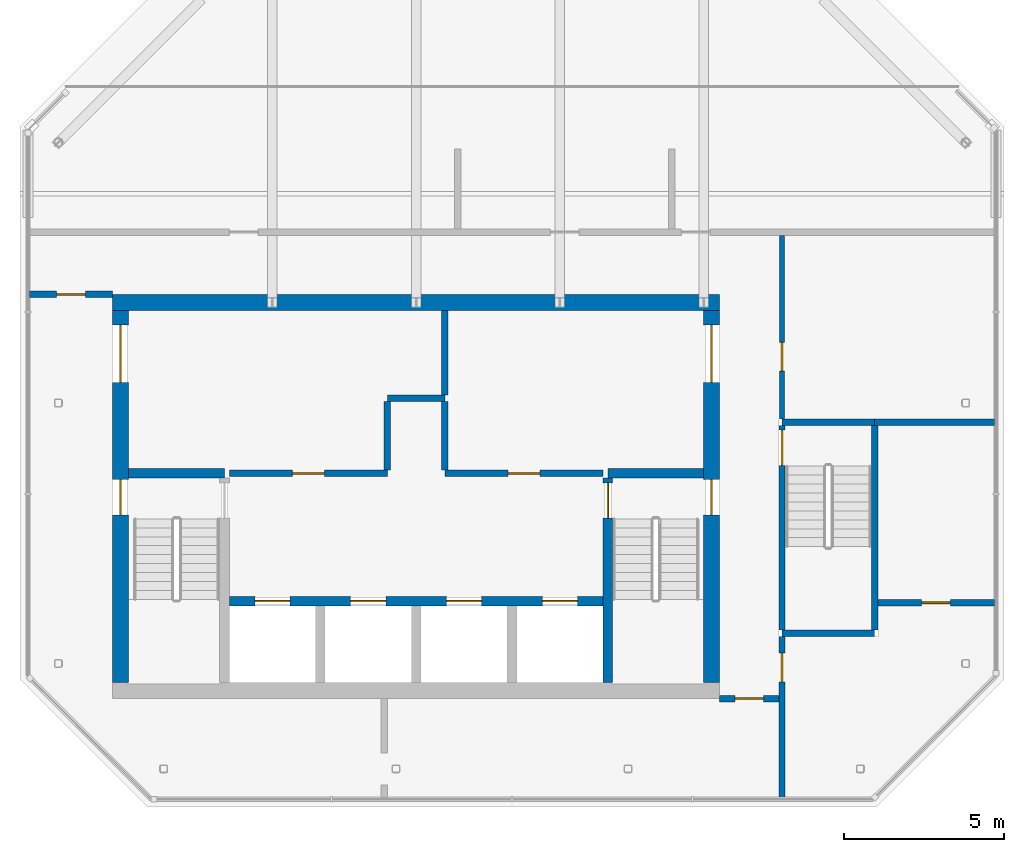
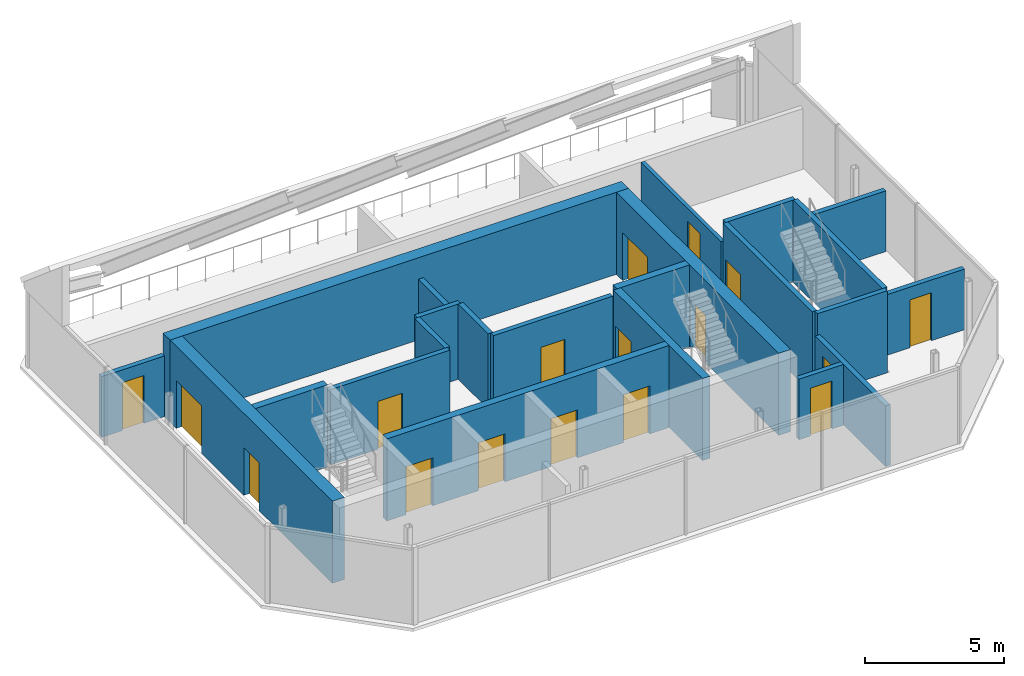
# One storey, part 3 of 5: 23 walls, 17 doors, 17 openings.
"""IFC4 building model written with IfcOpenShell, lengths in metres."""

from ifc_helpers import new_model, si_unit, direction, frame, frame_2d, origin, place, context, subcontext, project, spatial, polyline, rectangle, outline, extrude, material, layer, layer_set, type_object, element, fill, save


model = new_model("IFC4")

# Units and contexts
model_context = context("Model", 3, precision=1e-05, world=origin(), true_north=direction((0.0, 1.0)))
body_context = subcontext(model_context, "Body", "Model", "MODEL_VIEW")
ifc_project = project(units=[si_unit("LENGTHUNIT", "METRE"), si_unit("AREAUNIT", "SQUARE_METRE"), si_unit("VOLUMEUNIT", "CUBIC_METRE"), si_unit("PLANEANGLEUNIT", "RADIAN"), si_unit("MASSUNIT", "GRAM", prefix="KILO")], contexts=[model_context])

# Site, building, storey
site_placement = place(None, origin())
site = spatial("IfcSite", under=ifc_project, at=site_placement, CompositionType="ELEMENT")
building_placement = place(site_placement, origin())
building = spatial("IfcBuilding", under=site, at=building_placement, Name="Tskaro Facet Tower", CompositionType="ELEMENT")
storey_placement = place(building_placement, frame((0.0, 0.0, 304.5)))
storey = spatial("IfcBuildingStorey", under=building, at=storey_placement, Name="L82", CompositionType="ELEMENT", Elevation=304.5)

# Wall, openings, doors
ifc_material_1 = material(Name="Concrete C60/75", Category="concrete")
ifc_layer_1 = layer(ifc_material_1, 0.300048828125, Name="Concrete C60/75")
ifc_layer_set_1 = layer_set([ifc_layer_1], Name="Concrete C60/75")
wall_type_1 = type_object("IfcWallType", Name="CORE-SHAFT", PredefinedType="SHEAR", material=ifc_layer_set_1)
wall_1_placement = place(storey_placement, frame((-5.85009765625, -8.949951171875, 0.0), z_axis=(0.0, 0.0, 1.0), x_axis=(1.0, 0.0, 0.0)))
wall_1 = element("IfcWall", 1, at=wall_1_placement, inside=storey, type_object=wall_type_1, Name="Shaft wall W004", PredefinedType="SHEAR", context=body_context, shape_type="SweptSolid", body=[
    extrude(rectangle(XDim=11.7001953125, YDim=0.300048828125, at=frame_2d((5.85009765625, 0.0))), origin(), (0.0, 0.0, 1.0), 3.60009765625),
])
opening_1_placement = place(wall_1_placement, frame((0.800048828125, 0.0, 0.0)))
opening_1 = element("IfcOpeningElement", 2, at=opening_1_placement, cuts=wall_1, Name="Opening LD-FF1", PredefinedType="OPENING", context=body_context, shape_type="SweptSolid", body=[
    extrude(rectangle(XDim=1.10009765625, YDim=2.10009765625, at=frame_2d((0.550048828125, 1.050048828125))), frame((0.0, 0.159912109375, 0.0), z_axis=(0.0, -1.0, 0.0), x_axis=(1.0, 0.0, 0.0)), (0.0, 0.0, 1.0), 0.320068359375),
])
opening_2_placement = place(wall_1_placement, frame((3.800048828125, 0.0, 0.0)))
opening_2 = element("IfcOpeningElement", 3, at=opening_2_placement, cuts=wall_1, Name="Opening LD-FF2", PredefinedType="OPENING", context=body_context, shape_type="SweptSolid", body=[
    extrude(rectangle(XDim=1.10009765625, YDim=2.10009765625, at=frame_2d((0.550048828125, 1.050048828125))), frame((0.0, 0.159912109375, 0.0), z_axis=(0.0, -1.0, 0.0), x_axis=(1.0, 0.0, 0.0)), (0.0, 0.0, 1.0), 0.320068359375),
])
opening_3_placement = place(wall_1_placement, frame((6.800048828125, 0.0, 0.0)))
opening_3 = element("IfcOpeningElement", 4, at=opening_3_placement, cuts=wall_1, Name="Opening LD-SV1", PredefinedType="OPENING", context=body_context, shape_type="SweptSolid", body=[
    extrude(rectangle(XDim=1.10009765625, YDim=2.10009765625, at=frame_2d((0.550048828125, 1.050048828125))), frame((0.0, 0.159912109375, 0.0), z_axis=(0.0, -1.0, 0.0), x_axis=(1.0, 0.0, 0.0)), (0.0, 0.0, 1.0), 0.320068359375),
])
opening_4_placement = place(wall_1_placement, frame((9.800048828125, 0.0, 0.0)))
opening_4 = element("IfcOpeningElement", 5, at=opening_4_placement, cuts=wall_1, Name="Opening LD-SV2", PredefinedType="OPENING", context=body_context, shape_type="SweptSolid", body=[
    extrude(rectangle(XDim=1.10009765625, YDim=2.10009765625, at=frame_2d((0.550048828125, 1.050048828125))), frame((0.0, 0.159912109375, 0.0), z_axis=(0.0, -1.0, 0.0), x_axis=(1.0, 0.0, 0.0)), (0.0, 0.0, 1.0), 0.320068359375),
])
ifc_material_2 = material(Name="Stainless steel", Category="steel")
door_type_1 = type_object("IfcDoorType", Name="D-LANDING", OperationType="NOTDEFINED", PredefinedType="DOOR", material=ifc_material_2)
door_1_placement = place(opening_1_placement, origin())
door_1 = element("IfcDoor", 6, at=door_1_placement, inside=storey, type_object=door_type_1, Name="Landing door FF1", OperationType="DOUBLE_DOOR_SLIDING", OverallHeight=2.10009765625, OverallWidth=1.10009765625, PredefinedType="DOOR", context=body_context, shape_type="SweptSolid", body=[
    extrude(rectangle(XDim=1.10009765625, YDim=2.10009765625, at=frame_2d((0.550048828125, 1.050048828125))), frame((0.0, 0.02490234375, 0.0), z_axis=(0.0, -1.0, 0.0), x_axis=(1.0, 0.0, 0.0)), (0.0, 0.0, 1.0), 0.050048828125),
])
fill(opening_1, door_1)
door_2_placement = place(opening_2_placement, origin())
door_2 = element("IfcDoor", 7, at=door_2_placement, inside=storey, type_object=door_type_1, Name="Landing door FF2", OperationType="DOUBLE_DOOR_SLIDING", OverallHeight=2.10009765625, OverallWidth=1.10009765625, PredefinedType="DOOR", context=body_context, shape_type="SweptSolid", body=[
    extrude(rectangle(XDim=1.10009765625, YDim=2.10009765625, at=frame_2d((0.550048828125, 1.050048828125))), frame((0.0, 0.02490234375, 0.0), z_axis=(0.0, -1.0, 0.0), x_axis=(1.0, 0.0, 0.0)), (0.0, 0.0, 1.0), 0.050048828125),
])
fill(opening_2, door_2)
door_3_placement = place(opening_3_placement, origin())
door_3 = element("IfcDoor", 8, at=door_3_placement, inside=storey, type_object=door_type_1, Name="Landing door SV1", OperationType="DOUBLE_DOOR_SLIDING", OverallHeight=2.10009765625, OverallWidth=1.10009765625, PredefinedType="DOOR", context=body_context, shape_type="SweptSolid", body=[
    extrude(rectangle(XDim=1.10009765625, YDim=2.10009765625, at=frame_2d((0.550048828125, 1.050048828125))), frame((0.0, 0.02490234375, 0.0), z_axis=(0.0, -1.0, 0.0), x_axis=(1.0, 0.0, 0.0)), (0.0, 0.0, 1.0), 0.050048828125),
])
fill(opening_3, door_3)
door_4_placement = place(opening_4_placement, origin())
door_4 = element("IfcDoor", 9, at=door_4_placement, inside=storey, type_object=door_type_1, Name="Landing door SV2", OperationType="DOUBLE_DOOR_SLIDING", OverallHeight=2.10009765625, OverallWidth=1.10009765625, PredefinedType="DOOR", context=body_context, shape_type="SweptSolid", body=[
    extrude(rectangle(XDim=1.10009765625, YDim=2.10009765625, at=frame_2d((0.550048828125, 1.050048828125))), frame((0.0, 0.02490234375, 0.0), z_axis=(0.0, -1.0, 0.0), x_axis=(1.0, 0.0, 0.0)), (0.0, 0.0, 1.0), 0.050048828125),
])
fill(opening_4, door_4)

# Walls
for number, where, z_axis, x_axis, name in (
    (10, (-9.0, -4.949951171875, 0.0), (0.0, 0.0, 1.0), (1.0, 0.0, 0.0), "Shaft wall W005"),
    (11, (6.0, -4.949951171875, 0.0), (0.0, 0.0, 1.0), (1.0, 0.0, 0.0), "Shaft wall W008"),
):
    element("IfcWall", number, at=place(storey_placement, frame(where, z_axis=z_axis, x_axis=x_axis)), inside=storey, type_object=wall_type_1, Name=name, PredefinedType="SHEAR", context=body_context, shape_type="SweptSolid", body=[
        extrude(rectangle(XDim=3.0, YDim=0.300048828125, at=frame_2d((1.5, 0.0))), origin(), (0.0, 0.0, 1.0), 3.60009765625),
    ])

# Wall, opening, door
wall_2_placement = place(storey_placement, frame((6.0, -5.10009765625, 0.0), z_axis=(0.0, 0.0, 1.0), x_axis=(0.0, -1.0, 0.0)))
wall_2 = element("IfcWall", 12, at=wall_2_placement, inside=storey, type_object=wall_type_1, Name="Shaft wall W024", PredefinedType="SHEAR", context=body_context, shape_type="SweptSolid", body=[
    extrude(rectangle(XDim=6.39990234375, YDim=0.300048828125, at=frame_2d((3.199951171875, 0.0))), origin(), (0.0, 0.0, 1.0), 3.60009765625),
])
opening_5_placement = place(wall_2_placement, frame((0.14990234375, 0.0, 0.0)))
opening_5 = element("IfcOpeningElement", 13, at=opening_5_placement, cuts=wall_2, Name="Opening ST-2-D1", PredefinedType="OPENING", context=body_context, shape_type="SweptSolid", body=[
    extrude(rectangle(XDim=1.10009765625, YDim=2.10009765625, at=frame_2d((0.550048828125, 1.050048828125))), frame((0.0, 0.159912109375, 0.0), z_axis=(0.0, -1.0, 0.0), x_axis=(1.0, 0.0, 0.0)), (0.0, 0.0, 1.0), 0.320068359375),
])
ifc_material_3 = material(Name="Steel", Category="steel")
door_type_2 = type_object("IfcDoorType", Name="D-STAIR", OperationType="NOTDEFINED", PredefinedType="DOOR", material=ifc_material_3)
door_5_placement = place(opening_5_placement, origin())
door_5 = element("IfcDoor", 14, at=door_5_placement, inside=storey, type_object=door_type_2, Name="Stair door 2", OperationType="SINGLE_SWING_RIGHT", OverallHeight=2.10009765625, OverallWidth=1.10009765625, PredefinedType="DOOR", context=body_context, shape_type="SweptSolid", body=[
    extrude(rectangle(XDim=1.10009765625, YDim=2.10009765625, at=frame_2d((0.550048828125, 1.050048828125))), frame((0.0, 0.02490234375, 0.0), z_axis=(0.0, -1.0, 0.0), x_axis=(1.0, 0.0, 0.0)), (0.0, 0.0, 1.0), 0.050048828125),
])
fill(opening_5, door_5)

ifc_material_4 = material(Name="Concrete C20/25", Category="concrete")
ifc_layer_2 = layer(ifc_material_4, 0.199951171875, Name="Concrete C20/25")
ifc_layer_set_2 = layer_set([ifc_layer_2], Name="Concrete C20/25")
wall_type_2 = type_object("IfcWallType", Name="CORE-WALL", PredefinedType="SOLIDWALL", material=ifc_layer_set_2)
wall_3_placement = place(storey_placement, frame((-5.85009765625, -4.949951171875, 0.0), z_axis=(0.0, 0.0, 1.0), x_axis=(1.0, 0.0, 0.0)))
wall_3 = element("IfcWall", 15, at=wall_3_placement, inside=storey, type_object=wall_type_2, Name="Core room wall W006", PredefinedType="SOLIDWALL", context=body_context, shape_type="SweptSolid", body=[
    extrude(rectangle(XDim=4.9501953125, YDim=0.199951171875, at=frame_2d((2.47509765625, 0.0))), origin(), (0.0, 0.0, 1.0), 3.300048828125),
])
opening_6_placement = place(wall_3_placement, frame((1.97509765625, 0.0, 0.0)))
opening_6 = element("IfcOpeningElement", 16, at=opening_6_placement, cuts=wall_3, Name="Opening C82-D04", PredefinedType="OPENING", context=body_context, shape_type="SweptSolid", body=[
    extrude(rectangle(XDim=1.0, YDim=2.10009765625, at=frame_2d((0.5, 1.050048828125))), frame((0.0, 0.10986328125, 0.0), z_axis=(0.0, -1.0, 0.0), x_axis=(1.0, 0.0, 0.0)), (0.0, 0.0, 1.0), 0.219970703125),
])
ifc_material_5 = material(Name="Timber", Category="wood")
door_type_3 = type_object("IfcDoorType", Name="D-ROOM-WIDE", OperationType="NOTDEFINED", PredefinedType="DOOR", material=ifc_material_5)
door_6_placement = place(opening_6_placement, origin())
door_6 = element("IfcDoor", 17, at=door_6_placement, inside=storey, type_object=door_type_3, Name="Door C82-D04", OperationType="SINGLE_SWING_LEFT", OverallHeight=2.10009765625, OverallWidth=1.0, PredefinedType="DOOR", context=body_context, shape_type="SweptSolid", body=[
    extrude(rectangle(XDim=1.0, YDim=2.10009765625, at=frame_2d((0.5, 1.050048828125))), frame((0.0, 0.02490234375, 0.0), z_axis=(0.0, -1.0, 0.0), x_axis=(1.0, 0.0, 0.0)), (0.0, 0.0, 1.0), 0.050048828125),
])
fill(opening_6, door_6)

wall_4_placement = place(storey_placement, frame((0.89990234375, -4.949951171875, 0.0), z_axis=(0.0, 0.0, 1.0), x_axis=(1.0, 0.0, 0.0)))
wall_4 = element("IfcWall", 18, at=wall_4_placement, inside=storey, type_object=wall_type_2, Name="Core room wall W007", PredefinedType="SOLIDWALL", context=body_context, shape_type="SweptSolid", body=[
    extrude(rectangle(XDim=4.9501953125, YDim=0.199951171875, at=frame_2d((2.47509765625, 0.0))), origin(), (0.0, 0.0, 1.0), 3.300048828125),
])
opening_7_placement = place(wall_4_placement, frame((1.97509765625, 0.0, 0.0)))
opening_7 = element("IfcOpeningElement", 19, at=opening_7_placement, cuts=wall_4, Name="Opening C82-D05", PredefinedType="OPENING", context=body_context, shape_type="SweptSolid", body=[
    extrude(rectangle(XDim=1.0, YDim=2.10009765625, at=frame_2d((0.5, 1.050048828125))), frame((0.0, 0.10986328125, 0.0), z_axis=(0.0, -1.0, 0.0), x_axis=(1.0, 0.0, 0.0)), (0.0, 0.0, 1.0), 0.219970703125),
])
door_7_placement = place(opening_7_placement, origin())
door_7 = element("IfcDoor", 20, at=door_7_placement, inside=storey, type_object=door_type_3, Name="Door C82-D05", OperationType="SINGLE_SWING_LEFT", OverallHeight=2.10009765625, OverallWidth=1.0, PredefinedType="DOOR", context=body_context, shape_type="SweptSolid", body=[
    extrude(rectangle(XDim=1.0, YDim=2.10009765625, at=frame_2d((0.5, 1.050048828125))), frame((0.0, 0.02490234375, 0.0), z_axis=(0.0, -1.0, 0.0), x_axis=(1.0, 0.0, 0.0)), (0.0, 0.0, 1.0), 0.050048828125),
])
fill(opening_7, door_7)

# Walls
wall_5_placement = place(storey_placement, frame((-0.89990234375, -2.60009765625, 0.0), z_axis=(0.0, 0.0, 1.0), x_axis=(1.0, 0.0, 0.0)))
element("IfcWall", 21, at=wall_5_placement, inside=storey, type_object=wall_type_2, Name="Core room wall W011", PredefinedType="SOLIDWALL", context=body_context, shape_type="SweptSolid", body=[
    extrude(rectangle(XDim=1.7998046875, YDim=0.199951171875, at=frame_2d((0.89990234375, 0.0))), origin(), (0.0, 0.0, 1.0), 3.300048828125),
])
for number, where, z_axis, x_axis, name in (
    (22, (-0.89990234375, -4.85009765625, 0.0), (0.0, 0.0, 1.0), (0.0, 1.0, 0.0), "Core room wall W018"),
    (23, (0.89990234375, -4.85009765625, 0.0), (0.0, 0.0, 1.0), (0.0, 1.0, 0.0), "Core room wall W020"),
):
    element("IfcWall", number, at=place(storey_placement, frame(where, z_axis=z_axis, x_axis=x_axis)), inside=storey, type_object=wall_type_2, Name=name, PredefinedType="SOLIDWALL", context=body_context, shape_type="SweptSolid", body=[
        extrude(rectangle(XDim=2.150146484375, YDim=0.199951171875, at=frame_2d((1.0751953125, 0.0))), origin(), (0.0, 0.0, 1.0), 3.300048828125),
    ])
ifc_material_6 = material(Name="Concrete C40/50", Category="concrete")
ifc_layer_3 = layer(ifc_material_6, 0.5, Name="Concrete C40/50")
ifc_layer_set_3 = layer_set([ifc_layer_3], Name="Concrete C40/50")
wall_type_3 = type_object("IfcWallType", Name="Core wall 500", PredefinedType="SHEAR", material=ifc_layer_set_3)
wall_6_placement = place(storey_placement, frame((-9.5, 0.39990234375, 0.0), z_axis=(0.0, 0.0, 1.0), x_axis=(1.0, 0.0, 0.0)))
element("IfcWall", 24, at=wall_6_placement, inside=storey, type_object=wall_type_3, Name="Core wall CW-Z3N", PredefinedType="SHEAR", context=body_context, shape_type="SweptSolid", body=[
    extrude(outline(polyline([(0.0, 0.0), (19.0, 0.0), (19.0, 3.60009765625), (0.0, 3.60009765625), (0.0, 0.0)])), frame((0.0, 0.25, 0.0), z_axis=(0.0, -1.0, 0.0), x_axis=(1.0, 0.0, 0.0)), (0.0, 0.0, 1.0), 0.5),
])

# Wall, openings, doors
wall_7_placement = place(storey_placement, frame((-9.25, -11.5, 0.0), z_axis=(0.0, 0.0, 1.0), x_axis=(0.0, 1.0, 0.0)))
wall_7 = element("IfcWall", 25, at=wall_7_placement, inside=storey, type_object=wall_type_3, Name="Core wall CW-Z3W", PredefinedType="SHEAR", context=body_context, shape_type="SweptSolid", body=[
    extrude(outline(polyline([(0.0, 0.0), (11.64990234375, 0.0), (11.64990234375, 3.60009765625), (0.0, 3.60009765625), (0.0, 0.0)])), frame((0.0, 0.25, 0.0), z_axis=(0.0, -1.0, 0.0), x_axis=(1.0, 0.0, 0.0)), (0.0, 0.0, 1.0), 0.5),
])
opening_8_placement = place(wall_7_placement, frame((9.39990234375, 0.0, 0.0)))
opening_8 = element("IfcOpeningElement", 26, at=opening_8_placement, cuts=wall_7, Name="Opening C82-D07", PredefinedType="OPENING", context=body_context, shape_type="SweptSolid", body=[
    extrude(rectangle(XDim=1.800048828125, YDim=2.10009765625, at=frame_2d((0.89990234375, 1.050048828125))), frame((0.0, 0.260009765625, 0.0), z_axis=(0.0, -1.0, 0.0), x_axis=(1.0, 0.0, 0.0)), (0.0, 0.0, 1.0), 0.52001953125),
])
opening_9_placement = place(wall_7_placement, frame((5.25, 0.0, 0.0)))
opening_9 = element("IfcOpeningElement", 27, at=opening_9_placement, cuts=wall_7, Name="Opening ST-1-D3", PredefinedType="OPENING", context=body_context, shape_type="SweptSolid", body=[
    extrude(rectangle(XDim=1.10009765625, YDim=2.10009765625, at=frame_2d((0.550048828125, 1.050048828125))), frame((0.0, 0.260009765625, 0.0), z_axis=(0.0, -1.0, 0.0), x_axis=(1.0, 0.0, 0.0)), (0.0, 0.0, 1.0), 0.52001953125),
])
door_type_4 = type_object("IfcDoorType", Name="D-CORE-PAIR", OperationType="NOTDEFINED", PredefinedType="DOOR", material=ifc_material_3)
door_8_placement = place(opening_8_placement, origin())
door_8 = element("IfcDoor", 28, at=door_8_placement, inside=storey, type_object=door_type_4, Name="Door C82-D07", OperationType="DOUBLE_DOOR_SINGLE_SWING", OverallHeight=2.10009765625, OverallWidth=1.800048828125, PredefinedType="DOOR", context=body_context, shape_type="SweptSolid", body=[
    extrude(rectangle(XDim=1.800048828125, YDim=2.10009765625, at=frame_2d((0.89990234375, 1.050048828125))), frame((0.0, 0.02490234375, 0.0), z_axis=(0.0, -1.0, 0.0), x_axis=(1.0, 0.0, 0.0)), (0.0, 0.0, 1.0), 0.050048828125),
])
fill(opening_8, door_8)
door_9_placement = place(opening_9_placement, origin())
door_9 = element("IfcDoor", 29, at=door_9_placement, inside=storey, type_object=door_type_2, Name="Stair door 1 west", OperationType="SINGLE_SWING_LEFT", OverallHeight=2.10009765625, OverallWidth=1.10009765625, PredefinedType="DOOR", context=body_context, shape_type="SweptSolid", body=[
    extrude(rectangle(XDim=1.10009765625, YDim=2.10009765625, at=frame_2d((0.550048828125, 1.050048828125))), frame((0.0, 0.02490234375, 0.0), z_axis=(0.0, -1.0, 0.0), x_axis=(1.0, 0.0, 0.0)), (0.0, 0.0, 1.0), 0.050048828125),
])
fill(opening_9, door_9)

wall_8_placement = place(storey_placement, frame((9.25, -11.5, 0.0), z_axis=(0.0, 0.0, 1.0), x_axis=(0.0, 1.0, 0.0)))
wall_8 = element("IfcWall", 30, at=wall_8_placement, inside=storey, type_object=wall_type_3, Name="Core wall CW-Z3E", PredefinedType="SHEAR", context=body_context, shape_type="SweptSolid", body=[
    extrude(outline(polyline([(0.0, 0.0), (11.64990234375, 0.0), (11.64990234375, 3.60009765625), (0.0, 3.60009765625), (0.0, 0.0)])), frame((0.0, 0.25, 0.0), z_axis=(0.0, -1.0, 0.0), x_axis=(1.0, 0.0, 0.0)), (0.0, 0.0, 1.0), 0.5),
])
opening_10_placement = place(wall_8_placement, frame((9.39990234375, 0.0, 0.0)))
opening_10 = element("IfcOpeningElement", 31, at=opening_10_placement, cuts=wall_8, Name="Opening C82-D08", PredefinedType="OPENING", context=body_context, shape_type="SweptSolid", body=[
    extrude(rectangle(XDim=1.800048828125, YDim=2.10009765625, at=frame_2d((0.89990234375, 1.050048828125))), frame((0.0, 0.260009765625, 0.0), z_axis=(0.0, -1.0, 0.0), x_axis=(1.0, 0.0, 0.0)), (0.0, 0.0, 1.0), 0.52001953125),
])
opening_11_placement = place(wall_8_placement, frame((5.25, 0.0, 0.0)))
opening_11 = element("IfcOpeningElement", 32, at=opening_11_placement, cuts=wall_8, Name="Opening ST-2-D3", PredefinedType="OPENING", context=body_context, shape_type="SweptSolid", body=[
    extrude(rectangle(XDim=1.10009765625, YDim=2.10009765625, at=frame_2d((0.550048828125, 1.050048828125))), frame((0.0, 0.260009765625, 0.0), z_axis=(0.0, -1.0, 0.0), x_axis=(1.0, 0.0, 0.0)), (0.0, 0.0, 1.0), 0.52001953125),
])
door_10_placement = place(opening_10_placement, origin())
door_10 = element("IfcDoor", 33, at=door_10_placement, inside=storey, type_object=door_type_4, Name="Door C82-D08", OperationType="DOUBLE_DOOR_SINGLE_SWING", OverallHeight=2.10009765625, OverallWidth=1.800048828125, PredefinedType="DOOR", context=body_context, shape_type="SweptSolid", body=[
    extrude(rectangle(XDim=1.800048828125, YDim=2.10009765625, at=frame_2d((0.89990234375, 1.050048828125))), frame((0.0, 0.02490234375, 0.0), z_axis=(0.0, -1.0, 0.0), x_axis=(1.0, 0.0, 0.0)), (0.0, 0.0, 1.0), 0.050048828125),
])
fill(opening_10, door_10)
door_11_placement = place(opening_11_placement, origin())
door_11 = element("IfcDoor", 34, at=door_11_placement, inside=storey, type_object=door_type_2, Name="Stair door 2 corridor", OperationType="SINGLE_SWING_LEFT", OverallHeight=2.10009765625, OverallWidth=1.10009765625, PredefinedType="DOOR", context=body_context, shape_type="SweptSolid", body=[
    extrude(rectangle(XDim=1.10009765625, YDim=2.10009765625, at=frame_2d((0.550048828125, 1.050048828125))), frame((0.0, 0.02490234375, 0.0), z_axis=(0.0, -1.0, 0.0), x_axis=(1.0, 0.0, 0.0)), (0.0, 0.0, 1.0), 0.050048828125),
])
fill(opening_11, door_11)

# Wall, opening, door
ifc_material_7 = material(Name="Gypsum board on steel studs", Category="steel")
ifc_layer_4 = layer(ifc_material_7, 0.14990234375, Name="Gypsum board on steel studs")
ifc_layer_set_4 = layer_set([ifc_layer_4], Name="Gypsum board on steel studs")
wall_type_4 = type_object("IfcWallType", Name="PART-CORR", PredefinedType="PARTITIONING", material=ifc_layer_set_4)
wall_9_placement = place(storey_placement, frame((11.449951171875, 2.5, 0.0), z_axis=(0.0, 0.0, 1.0), x_axis=(0.0, -1.0, 0.0)))
wall_9 = element("IfcWall", 35, at=wall_9_placement, inside=storey, type_object=wall_type_4, Name="Corridor wall W028", PredefinedType="PARTITIONING", context=body_context, shape_type="SweptSolid", body=[
    extrude(rectangle(XDim=5.75, YDim=0.14990234375, at=frame_2d((2.875, 0.0))), origin(), (0.0, 0.0, 1.0), 2.659912109375),
])
opening_12_placement = place(wall_9_placement, frame((3.35009765625, 0.0, 0.0)))
opening_12 = element("IfcOpeningElement", 36, at=opening_12_placement, cuts=wall_9, Name="Opening C82-D06", PredefinedType="OPENING", context=body_context, shape_type="SweptSolid", body=[
    extrude(rectangle(XDim=0.89990234375, YDim=2.10009765625, at=frame_2d((0.449951171875, 1.050048828125))), frame((0.0, 0.0849609375, 0.0), z_axis=(0.0, -1.0, 0.0), x_axis=(1.0, 0.0, 0.0)), (0.0, 0.0, 1.0), 0.169921875),
])
door_type_5 = type_object("IfcDoorType", Name="D-RISER", OperationType="NOTDEFINED", PredefinedType="DOOR", material=ifc_material_3)
door_12_placement = place(opening_12_placement, origin())
door_12 = element("IfcDoor", 37, at=door_12_placement, inside=storey, type_object=door_type_5, Name="Door C82-D06", OperationType="SINGLE_SWING_RIGHT", OverallHeight=2.10009765625, OverallWidth=0.89990234375, PredefinedType="DOOR", context=body_context, shape_type="SweptSolid", body=[
    extrude(rectangle(XDim=0.89990234375, YDim=2.10009765625, at=frame_2d((0.449951171875, 1.050048828125))), frame((0.0, 0.02490234375, 0.0), z_axis=(0.0, -1.0, 0.0), x_axis=(1.0, 0.0, 0.0)), (0.0, 0.0, 1.0), 0.050048828125),
])
fill(opening_12, door_12)

# Walls
ifc_layer_5 = layer(ifc_material_1, 0.199951171875, Name="Concrete C60/75")
ifc_layer_set_5 = layer_set([ifc_layer_5], Name="Concrete C60/75")
wall_type_5 = type_object("IfcWallType", Name="STAIR-WALL", PredefinedType="SHEAR", material=ifc_layer_set_5)
for number, where, z_axis, x_axis, name in (
    (38, (11.449951171875, -9.949951171875, 0.0), (0.0, 0.0, 1.0), (1.0, 0.0, 0.0), "Stair wall W002"),
    (39, (11.449951171875, -3.35009765625, 0.0), (0.0, 0.0, 1.0), (1.0, 0.0, 0.0), "Stair wall W009"),
):
    element("IfcWall", number, at=place(storey_placement, frame(where, z_axis=z_axis, x_axis=x_axis)), inside=storey, type_object=wall_type_5, Name=name, PredefinedType="SHEAR", context=body_context, shape_type="SweptSolid", body=[
        extrude(rectangle(XDim=2.900146484375, YDim=0.199951171875, at=frame_2d((1.4501953125, 0.0))), origin(), (0.0, 0.0, 1.0), 3.60009765625),
    ])

# Wall, opening, door
wall_10_placement = place(storey_placement, frame((11.449951171875, -3.449951171875, 0.0), z_axis=(0.0, 0.0, 1.0), x_axis=(0.0, -1.0, 0.0)))
wall_10 = element("IfcWall", 40, at=wall_10_placement, inside=storey, type_object=wall_type_5, Name="Stair wall W027", PredefinedType="SHEAR", context=body_context, shape_type="SweptSolid", body=[
    extrude(rectangle(XDim=6.400146484375, YDim=0.199951171875, at=frame_2d((3.2001953125, 0.0))), origin(), (0.0, 0.0, 1.0), 3.60009765625),
])
opening_13_placement = place(wall_10_placement, frame((0.14990234375, 0.0, 0.0)))
opening_13 = element("IfcOpeningElement", 41, at=opening_13_placement, cuts=wall_10, Name="Opening ST-4-D1", PredefinedType="OPENING", context=body_context, shape_type="SweptSolid", body=[
    extrude(rectangle(XDim=1.10009765625, YDim=2.10009765625, at=frame_2d((0.550048828125, 1.050048828125))), frame((0.0, 0.10986328125, 0.0), z_axis=(0.0, -1.0, 0.0), x_axis=(1.0, 0.0, 0.0)), (0.0, 0.0, 1.0), 0.219970703125),
])
door_13_placement = place(opening_13_placement, origin())
door_13 = element("IfcDoor", 42, at=door_13_placement, inside=storey, type_object=door_type_2, Name="Stair door 4", OperationType="SINGLE_SWING_RIGHT", OverallHeight=2.10009765625, OverallWidth=1.10009765625, PredefinedType="DOOR", context=body_context, shape_type="SweptSolid", body=[
    extrude(rectangle(XDim=1.10009765625, YDim=2.10009765625, at=frame_2d((0.550048828125, 1.050048828125))), frame((0.0, 0.02490234375, 0.0), z_axis=(0.0, -1.0, 0.0), x_axis=(1.0, 0.0, 0.0)), (0.0, 0.0, 1.0), 0.050048828125),
])
fill(opening_13, door_13)

# Wall
wall_11_placement = place(storey_placement, frame((14.35009765625, -9.85009765625, 0.0), z_axis=(0.0, 0.0, 1.0), x_axis=(0.0, 1.0, 0.0)))
element("IfcWall", 43, at=wall_11_placement, inside=storey, type_object=wall_type_5, Name="Stair wall W029", PredefinedType="SHEAR", context=body_context, shape_type="SweptSolid", body=[
    extrude(rectangle(XDim=6.400146484375, YDim=0.199951171875, at=frame_2d((3.2001953125, 0.0))), origin(), (0.0, 0.0, 1.0), 3.60009765625),
])

# Wall, opening, door
ifc_layer_6 = layer(ifc_material_4, 0.199951171875, Name="Concrete C20/25")
ifc_layer_set_6 = layer_set([ifc_layer_6], Name="Concrete C20/25")
wall_type_6 = type_object("IfcWallType", Name="WALL-RISER", PredefinedType="SOLIDWALL", material=ifc_layer_set_6)
wall_12_placement = place(storey_placement, frame((11.35009765625, -12.0, 0.0), z_axis=(0.0, 0.0, 1.0), x_axis=(-1.0, 0.0, 0.0)))
wall_12 = element("IfcWall", 44, at=wall_12_placement, inside=storey, type_object=wall_type_6, Name="Riser room wall W001", PredefinedType="SOLIDWALL", context=body_context, shape_type="SweptSolid", body=[
    extrude(rectangle(XDim=1.85009765625, YDim=0.199951171875, at=frame_2d((0.925048828125, 0.0))), origin(), (0.0, 0.0, 1.0), 2.659912109375),
])
opening_14_placement = place(wall_12_placement, frame((0.47509765625, 0.0, 0.0)))
opening_14 = element("IfcOpeningElement", 45, at=opening_14_placement, cuts=wall_12, Name="Opening C82-D01", PredefinedType="OPENING", context=body_context, shape_type="SweptSolid", body=[
    extrude(rectangle(XDim=0.89990234375, YDim=2.10009765625, at=frame_2d((0.449951171875, 1.050048828125))), frame((0.0, 0.10986328125, 0.0), z_axis=(0.0, -1.0, 0.0), x_axis=(1.0, 0.0, 0.0)), (0.0, 0.0, 1.0), 0.219970703125),
])
door_14_placement = place(opening_14_placement, origin())
door_14 = element("IfcDoor", 46, at=door_14_placement, inside=storey, type_object=door_type_5, Name="Door C82-D01", OperationType="SINGLE_SWING_RIGHT", OverallHeight=2.10009765625, OverallWidth=0.89990234375, PredefinedType="DOOR", context=body_context, shape_type="SweptSolid", body=[
    extrude(rectangle(XDim=0.89990234375, YDim=2.10009765625, at=frame_2d((0.449951171875, 1.050048828125))), frame((0.0, 0.02490234375, 0.0), z_axis=(0.0, -1.0, 0.0), x_axis=(1.0, 0.0, 0.0)), (0.0, 0.0, 1.0), 0.050048828125),
])
fill(opening_14, door_14)

wall_13_placement = place(storey_placement, frame((14.449951171875, -9.0, 0.0), z_axis=(0.0, 0.0, 1.0), x_axis=(1.0, 0.0, 0.0)))
wall_13 = element("IfcWall", 47, at=wall_13_placement, inside=storey, type_object=wall_type_6, Name="Riser room wall W003", PredefinedType="SOLIDWALL", context=body_context, shape_type="SweptSolid", body=[
    extrude(rectangle(XDim=3.650146484375, YDim=0.199951171875, at=frame_2d((1.8251953125, 0.0))), origin(), (0.0, 0.0, 1.0), 2.659912109375),
])
opening_15_placement = place(wall_13_placement, frame((1.375, 0.0, 0.0)))
opening_15 = element("IfcOpeningElement", 48, at=opening_15_placement, cuts=wall_13, Name="Opening C82-D03", PredefinedType="OPENING", context=body_context, shape_type="SweptSolid", body=[
    extrude(rectangle(XDim=0.89990234375, YDim=2.10009765625, at=frame_2d((0.449951171875, 1.050048828125))), frame((0.0, 0.10986328125, 0.0), z_axis=(0.0, -1.0, 0.0), x_axis=(1.0, 0.0, 0.0)), (0.0, 0.0, 1.0), 0.219970703125),
])
door_15_placement = place(opening_15_placement, origin())
door_15 = element("IfcDoor", 49, at=door_15_placement, inside=storey, type_object=door_type_5, Name="Door C82-D03", OperationType="SINGLE_SWING_LEFT", OverallHeight=2.10009765625, OverallWidth=0.89990234375, PredefinedType="DOOR", context=body_context, shape_type="SweptSolid", body=[
    extrude(rectangle(XDim=0.89990234375, YDim=2.10009765625, at=frame_2d((0.449951171875, 1.050048828125))), frame((0.0, 0.02490234375, 0.0), z_axis=(0.0, -1.0, 0.0), x_axis=(1.0, 0.0, 0.0)), (0.0, 0.0, 1.0), 0.050048828125),
])
fill(opening_15, door_15)

# Wall
wall_14_placement = place(storey_placement, frame((14.35009765625, -3.35009765625, 0.0), z_axis=(0.0, 0.0, 1.0), x_axis=(1.0, 0.0, 0.0)))
element("IfcWall", 50, at=wall_14_placement, inside=storey, type_object=wall_type_6, Name="Riser room wall W010", PredefinedType="SOLIDWALL", context=body_context, shape_type="SweptSolid", body=[
    extrude(rectangle(XDim=3.75, YDim=0.199951171875, at=frame_2d((1.875, 0.0))), origin(), (0.0, 0.0, 1.0), 2.659912109375),
])

# Wall, opening, door
wall_15_placement = place(storey_placement, frame((-9.5, 0.64990234375, 0.0), z_axis=(0.0, 0.0, 1.0), x_axis=(-1.0, 0.0, 0.0)))
wall_15 = element("IfcWall", 51, at=wall_15_placement, inside=storey, type_object=wall_type_6, Name="Riser room wall W012", PredefinedType="SOLIDWALL", context=body_context, shape_type="SweptSolid", body=[
    extrude(rectangle(XDim=2.60009765625, YDim=0.199951171875, at=frame_2d((1.300048828125, 0.0))), origin(), (0.0, 0.0, 1.0), 2.659912109375),
])
opening_16_placement = place(wall_15_placement, frame((0.85009765625, 0.0, 0.0)))
opening_16 = element("IfcOpeningElement", 52, at=opening_16_placement, cuts=wall_15, Name="Opening C82-D09", PredefinedType="OPENING", context=body_context, shape_type="SweptSolid", body=[
    extrude(rectangle(XDim=0.89990234375, YDim=2.10009765625, at=frame_2d((0.449951171875, 1.050048828125))), frame((0.0, 0.10986328125, 0.0), z_axis=(0.0, -1.0, 0.0), x_axis=(1.0, 0.0, 0.0)), (0.0, 0.0, 1.0), 0.219970703125),
])
door_16_placement = place(opening_16_placement, origin())
door_16 = element("IfcDoor", 53, at=door_16_placement, inside=storey, type_object=door_type_5, Name="Door C82-D09", OperationType="SINGLE_SWING_RIGHT", OverallHeight=2.10009765625, OverallWidth=0.89990234375, PredefinedType="DOOR", context=body_context, shape_type="SweptSolid", body=[
    extrude(rectangle(XDim=0.89990234375, YDim=2.10009765625, at=frame_2d((0.449951171875, 1.050048828125))), frame((0.0, 0.02490234375, 0.0), z_axis=(0.0, -1.0, 0.0), x_axis=(1.0, 0.0, 0.0)), (0.0, 0.0, 1.0), 0.050048828125),
])
fill(opening_16, door_16)

# Wall
wall_16_placement = place(storey_placement, frame((0.89990234375, -2.5, 0.0), z_axis=(0.0, 0.0, 1.0), x_axis=(0.0, 1.0, 0.0)))
element("IfcWall", 54, at=wall_16_placement, inside=storey, type_object=wall_type_6, Name="Riser room wall W021", PredefinedType="SOLIDWALL", context=body_context, shape_type="SweptSolid", body=[
    extrude(rectangle(XDim=2.64990234375, YDim=0.199951171875, at=frame_2d((1.324951171875, 0.0))), origin(), (0.0, 0.0, 1.0), 2.659912109375),
])

# Wall, opening, door
wall_17_placement = place(storey_placement, frame((11.449951171875, -10.050048828125, 0.0), z_axis=(0.0, 0.0, 1.0), x_axis=(0.0, -1.0, 0.0)))
wall_17 = element("IfcWall", 55, at=wall_17_placement, inside=storey, type_object=wall_type_6, Name="Riser room wall W026", PredefinedType="SOLIDWALL", context=body_context, shape_type="SweptSolid", body=[
    extrude(rectangle(XDim=5.050048828125, YDim=0.199951171875, at=frame_2d((2.52490234375, 0.0))), origin(), (0.0, 0.0, 1.0), 2.659912109375),
])
opening_17_placement = place(wall_17_placement, frame((0.52490234375, 0.0, 0.0)))
opening_17 = element("IfcOpeningElement", 56, at=opening_17_placement, cuts=wall_17, Name="Opening C82-D02", PredefinedType="OPENING", context=body_context, shape_type="SweptSolid", body=[
    extrude(rectangle(XDim=0.89990234375, YDim=2.10009765625, at=frame_2d((0.449951171875, 1.050048828125))), frame((0.0, 0.10986328125, 0.0), z_axis=(0.0, -1.0, 0.0), x_axis=(1.0, 0.0, 0.0)), (0.0, 0.0, 1.0), 0.219970703125),
])
door_17_placement = place(opening_17_placement, origin())
door_17 = element("IfcDoor", 57, at=door_17_placement, inside=storey, type_object=door_type_5, Name="Door C82-D02", OperationType="SINGLE_SWING_RIGHT", OverallHeight=2.10009765625, OverallWidth=0.89990234375, PredefinedType="DOOR", context=body_context, shape_type="SweptSolid", body=[
    extrude(rectangle(XDim=0.89990234375, YDim=2.10009765625, at=frame_2d((0.449951171875, 1.050048828125))), frame((0.0, 0.02490234375, 0.0), z_axis=(0.0, -1.0, 0.0), x_axis=(1.0, 0.0, 0.0)), (0.0, 0.0, 1.0), 0.050048828125),
])
fill(opening_17, door_17)

save(model, "model.ifc")
